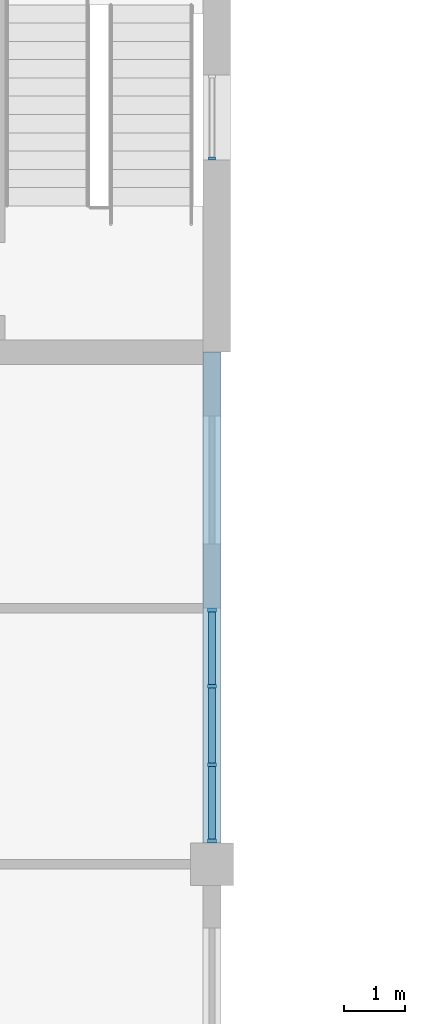
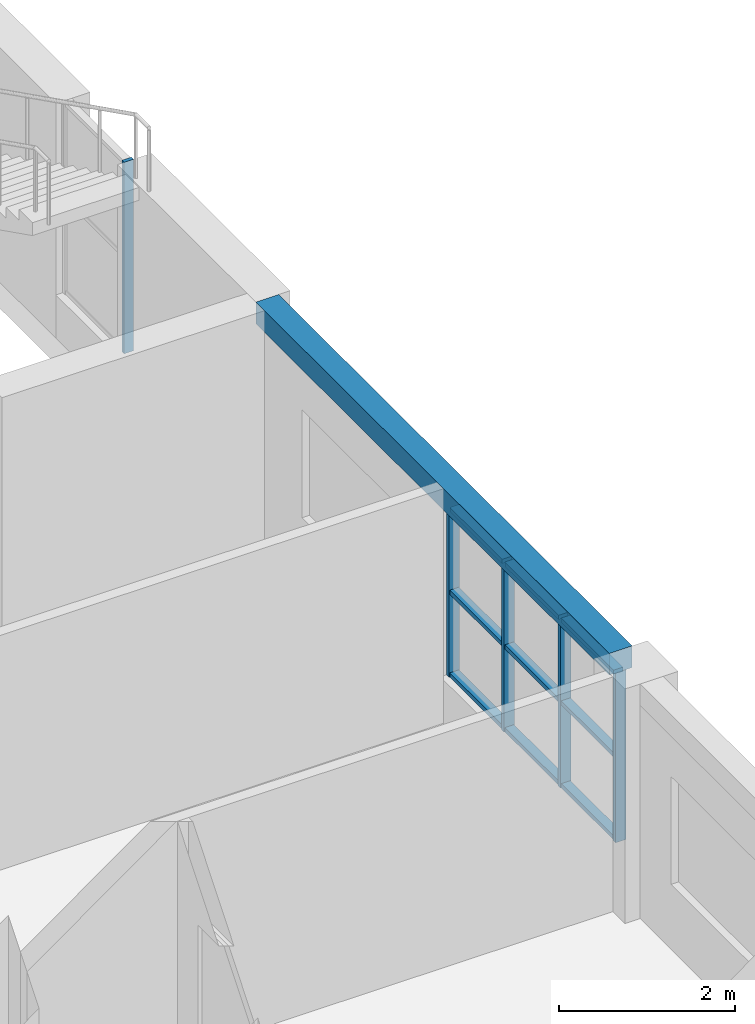
# One storey, part 14 of 61: 14 members, 1 beam, 2 elements without a shape of their own.
"""IFC4 building model written with IfcOpenShell, lengths in metres."""

from ifc_helpers import new_model, si_unit, direction, frame, origin, origin_2d, place, context, subcontext, project, spatial, rectangle, extrude, material, material_profile, profile_set, type_object, element, aggregate, save


model = new_model("IFC4")

# Units and contexts
model_context = context("Model", 3, precision=1e-05, world=origin(), true_north=direction((0.0, 1.0)))
body_context = subcontext(model_context, "Body", "Model", "MODEL_VIEW")
ifc_project = project(units=[si_unit("LENGTHUNIT", "METRE"), si_unit("AREAUNIT", "SQUARE_METRE"), si_unit("VOLUMEUNIT", "CUBIC_METRE"), si_unit("PLANEANGLEUNIT", "RADIAN"), si_unit("MASSUNIT", "GRAM", prefix="KILO")], contexts=[model_context])

# Site, building, storey
site_placement = place(None, origin())
site = spatial("IfcSite", under=ifc_project, at=site_placement, CompositionType="ELEMENT")
building_placement = place(site_placement, origin())
building = spatial("IfcBuilding", under=site, at=building_placement, Name="Yavir Park General Hospital", CompositionType="ELEMENT")
storey_placement = place(building_placement, frame((0.0, 0.0, 15.300048828125)))
storey = spatial("IfcBuildingStorey", under=building, at=storey_placement, Name="L03", CompositionType="ELEMENT", Elevation=15.300048828125)

# Curtain wall, members
ifc_material_1 = material(Name="Aluminium curtain wall frame with insulated glazing", Category="aluminium")
curtain_wall_type_1 = type_object("IfcCurtainWallType", Name="Day room pocket glazing, ward floors, 2360 high, 1400 module", PredefinedType="NOTDEFINED", material=ifc_material_1)
curtain_wall_1_placement = place(storey_placement, origin())
curtain_wall_1 = element("IfcCurtainWall", 1, at=curtain_wall_1_placement, inside=storey, type_object=curtain_wall_type_1, Name="CW6 L03-024", PredefinedType="NOTDEFINED")
ifc_material_2 = material(Name="Aluminium", Category="aluminium")
ifc_material_profile_1 = material_profile(ifc_material_2, rectangle(XDim=0.139892578125, YDim=0.06005859375, at=origin_2d()), Name="AL 60x140")
ifc_profile_set_1 = profile_set([ifc_material_profile_1], Name="Aluminium")
member_type_1 = type_object("IfcMemberType", Name="Day room pocket glazing, ward floors, 2360 high mullion 60 x 140", PredefinedType="MULLION", material=ifc_profile_set_1)
member_1_placement = place(storey_placement, frame((25.199951171875, 67.580078125, 0.599853515625), z_axis=(0.0, 0.0, 1.0), x_axis=(-1.0, 0.0, 0.0)))
member_1 = element("IfcMember", 2, at=member_1_placement, type_object=member_type_1, Name="CW6 mullion 1", PredefinedType="MULLION", context=body_context, shape_type="SweptSolid", body=[
    extrude(rectangle(XDim=0.139892578125, YDim=0.06005859375, at=origin_2d()), origin(), (0.0, 0.0, 1.0), 2.360107421875),
])
member_2_placement = place(storey_placement, frame((25.199951171875, 68.833251953125, 0.599853515625), z_axis=(0.0, 0.0, 1.0), x_axis=(-1.0, 0.0, 0.0)))
member_2 = element("IfcMember", 3, at=member_2_placement, type_object=member_type_1, Name="CW6 mullion 2", PredefinedType="MULLION", context=body_context, shape_type="SweptSolid", body=[
    extrude(rectangle(XDim=0.139892578125, YDim=0.06005859375, at=origin_2d()), origin(), (0.0, 0.0, 1.0), 2.360107421875),
])
member_3_placement = place(storey_placement, frame((25.199951171875, 70.11669921875, 0.599853515625), z_axis=(0.0, 0.0, 1.0), x_axis=(-1.0, 0.0, 0.0)))
member_3 = element("IfcMember", 4, at=member_3_placement, type_object=member_type_1, Name="CW6 mullion 3", PredefinedType="MULLION", context=body_context, shape_type="SweptSolid", body=[
    extrude(rectangle(XDim=0.139892578125, YDim=0.06005859375, at=origin_2d()), origin(), (0.0, 0.0, 1.0), 2.360107421875),
])
member_4_placement = place(storey_placement, frame((25.199951171875, 71.3701171875, 0.599853515625), z_axis=(0.0, 0.0, 1.0), x_axis=(-1.0, 0.0, 0.0)))
member_4 = element("IfcMember", 5, at=member_4_placement, type_object=member_type_1, Name="CW6 mullion 4", PredefinedType="MULLION", context=body_context, shape_type="SweptSolid", body=[
    extrude(rectangle(XDim=0.139892578125, YDim=0.06005859375, at=origin_2d()), origin(), (0.0, 0.0, 1.0), 2.360107421875),
])
ifc_material_3 = material(Name="Aluminium", Category="aluminium")
ifc_material_profile_2 = material_profile(ifc_material_3, rectangle(XDim=0.1201171875, YDim=0.06005859375, at=origin_2d()), Name="AL 120x60")
ifc_profile_set_2 = profile_set([ifc_material_profile_2], Name="Aluminium")
member_type_2 = type_object("IfcMemberType", Name="Day room pocket glazing, ward floors, 2360 high transom 60 x 120", PredefinedType="MULLION", material=ifc_profile_set_2)
member_5_placement = place(storey_placement, frame((25.199951171875, 67.610107421875, 0.6298828125), z_axis=(0.0, 1.0, 0.0), x_axis=(-1.0, 0.0, 0.0)))
member_5 = element("IfcMember", 6, at=member_5_placement, type_object=member_type_2, Name="CW6 transom 1.1", PredefinedType="MULLION", context=body_context, shape_type="SweptSolid", body=[
    extrude(rectangle(XDim=0.1201171875, YDim=0.06005859375, at=origin_2d()), origin(), (0.0, 0.0, 1.0), 1.193115234375),
])
member_6_placement = place(storey_placement, frame((25.199951171875, 67.610107421875, 1.780029296875), z_axis=(0.0, 1.0, 0.0), x_axis=(-1.0, 0.0, 0.0)))
member_6 = element("IfcMember", 7, at=member_6_placement, type_object=member_type_2, Name="CW6 transom 1.2", PredefinedType="MULLION", context=body_context, shape_type="SweptSolid", body=[
    extrude(rectangle(XDim=0.1201171875, YDim=0.06005859375, at=origin_2d()), origin(), (0.0, 0.0, 1.0), 1.193115234375),
])
member_7_placement = place(storey_placement, frame((25.199951171875, 67.610107421875, 2.929931640625), z_axis=(0.0, 1.0, 0.0), x_axis=(-1.0, 0.0, 0.0)))
member_7 = element("IfcMember", 8, at=member_7_placement, type_object=member_type_2, Name="CW6 transom 1.3", PredefinedType="MULLION", context=body_context, shape_type="SweptSolid", body=[
    extrude(rectangle(XDim=0.1201171875, YDim=0.06005859375, at=origin_2d()), origin(), (0.0, 0.0, 1.0), 1.193115234375),
])
member_8_placement = place(storey_placement, frame((25.199951171875, 68.86328125, 0.6298828125), z_axis=(0.0, 1.0, 0.0), x_axis=(-1.0, 0.0, 0.0)))
member_8 = element("IfcMember", 9, at=member_8_placement, type_object=member_type_2, Name="CW6 transom 2.1", PredefinedType="MULLION", context=body_context, shape_type="SweptSolid", body=[
    extrude(rectangle(XDim=0.1201171875, YDim=0.06005859375, at=origin_2d()), origin(), (0.0, 0.0, 1.0), 1.223388671875),
])
member_9_placement = place(storey_placement, frame((25.199951171875, 68.86328125, 1.780029296875), z_axis=(0.0, 1.0, 0.0), x_axis=(-1.0, 0.0, 0.0)))
member_9 = element("IfcMember", 10, at=member_9_placement, type_object=member_type_2, Name="CW6 transom 2.2", PredefinedType="MULLION", context=body_context, shape_type="SweptSolid", body=[
    extrude(rectangle(XDim=0.1201171875, YDim=0.06005859375, at=origin_2d()), origin(), (0.0, 0.0, 1.0), 1.223388671875),
])
member_10_placement = place(storey_placement, frame((25.199951171875, 68.86328125, 2.929931640625), z_axis=(0.0, 1.0, 0.0), x_axis=(-1.0, 0.0, 0.0)))
member_10 = element("IfcMember", 11, at=member_10_placement, type_object=member_type_2, Name="CW6 transom 2.3", PredefinedType="MULLION", context=body_context, shape_type="SweptSolid", body=[
    extrude(rectangle(XDim=0.1201171875, YDim=0.06005859375, at=origin_2d()), origin(), (0.0, 0.0, 1.0), 1.223388671875),
])
member_11_placement = place(storey_placement, frame((25.199951171875, 70.146728515625, 0.6298828125), z_axis=(0.0, 1.0, 0.0), x_axis=(-1.0, 0.0, 0.0)))
member_11 = element("IfcMember", 12, at=member_11_placement, type_object=member_type_2, Name="CW6 transom 3.1", PredefinedType="MULLION", context=body_context, shape_type="SweptSolid", body=[
    extrude(rectangle(XDim=0.1201171875, YDim=0.06005859375, at=origin_2d()), origin(), (0.0, 0.0, 1.0), 1.193359375),
])
member_12_placement = place(storey_placement, frame((25.199951171875, 70.146728515625, 1.780029296875), z_axis=(0.0, 1.0, 0.0), x_axis=(-1.0, 0.0, 0.0)))
member_12 = element("IfcMember", 13, at=member_12_placement, type_object=member_type_2, Name="CW6 transom 3.2", PredefinedType="MULLION", context=body_context, shape_type="SweptSolid", body=[
    extrude(rectangle(XDim=0.1201171875, YDim=0.06005859375, at=origin_2d()), origin(), (0.0, 0.0, 1.0), 1.193359375),
])
member_13_placement = place(storey_placement, frame((25.199951171875, 70.146728515625, 2.929931640625), z_axis=(0.0, 1.0, 0.0), x_axis=(-1.0, 0.0, 0.0)))
member_13 = element("IfcMember", 14, at=member_13_placement, type_object=member_type_2, Name="CW6 transom 3.3", PredefinedType="MULLION", context=body_context, shape_type="SweptSolid", body=[
    extrude(rectangle(XDim=0.1201171875, YDim=0.06005859375, at=origin_2d()), origin(), (0.0, 0.0, 1.0), 1.193359375),
])
aggregate(curtain_wall_1, [member_1, member_2, member_3, member_4, member_5, member_6, member_7, member_8, member_9, member_10, member_11, member_12, member_13])

# Beam
ifc_material_4 = material(Name="Concrete C35/45", Category="concrete")
ifc_material_profile_3 = material_profile(ifc_material_4, rectangle(XDim=0.300048828125, YDim=0.300048828125, at=origin_2d()), Name="RC300x300")
ifc_profile_set_3 = profile_set([ifc_material_profile_3], Name="Concrete C35/45")
beam_type = type_object("IfcBeamType", Name="RC BEAM 300x300 edge beam", PredefinedType="BEAM", material=ifc_profile_set_3)
beam_placement = place(storey_placement, frame((25.199951171875, 67.550048828125, 3.10986328125), z_axis=(0.0, 1.0, 0.0), x_axis=(-1.0, 0.0, 0.0)))
element("IfcBeam", 15, at=beam_placement, inside=storey, type_object=beam_type, Name="B:EDGE:L03:031", PredefinedType="BEAM", context=body_context, shape_type="SweptSolid", body=[
    extrude(rectangle(XDim=0.300048828125, YDim=0.300048828125, at=origin_2d()), origin(), (0.0, 0.0, 1.0), 8.050048828125),
])

# Curtain wall, member
ifc_material_5 = material(Name="Aluminium curtain wall frame with insulated glazing", Category="aluminium")
curtain_wall_type_2 = type_object("IfcCurtainWallType", Name="Stair light slot, ward floors, 2660 high, 1400 module", PredefinedType="NOTDEFINED", material=ifc_material_5)
curtain_wall_2_placement = place(storey_placement, origin())
curtain_wall_2 = element("IfcCurtainWall", 16, at=curtain_wall_2_placement, inside=storey, type_object=curtain_wall_type_2, Name="CW10 L03-025", PredefinedType="NOTDEFINED")
ifc_material_6 = material(Name="Aluminium", Category="aluminium")
ifc_material_profile_4 = material_profile(ifc_material_6, rectangle(XDim=0.1201171875, YDim=0.050048828125, at=origin_2d()), Name="AL 50x120")
ifc_profile_set_4 = profile_set([ifc_material_profile_4], Name="Aluminium")
member_type_3 = type_object("IfcMemberType", Name="Stair light slot, ward floors, 2660 high mullion 50 x 120", PredefinedType="MULLION", material=ifc_profile_set_4)
member_14_placement = place(storey_placement, frame((25.199951171875, 78.77490234375, 0.599853515625), z_axis=(0.0, 0.0, 1.0), x_axis=(-1.0, 0.0, 0.0)))
member_14 = element("IfcMember", 17, at=member_14_placement, type_object=member_type_3, Name="CW10 mullion 1", PredefinedType="MULLION", context=body_context, shape_type="SweptSolid", body=[
    extrude(rectangle(XDim=0.1201171875, YDim=0.050048828125, at=origin_2d()), origin(), (0.0, 0.0, 1.0), 2.66015625),
])
aggregate(curtain_wall_2, [member_14])

save(model, "model.ifc")
